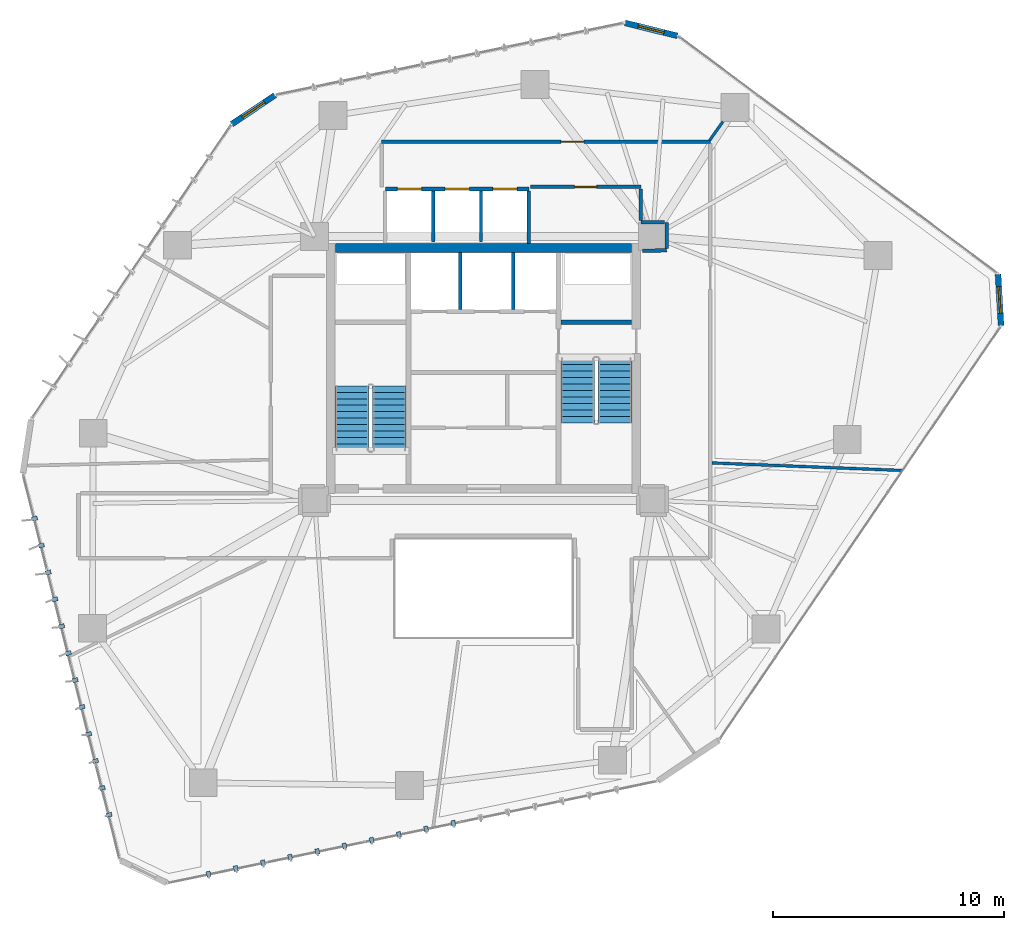
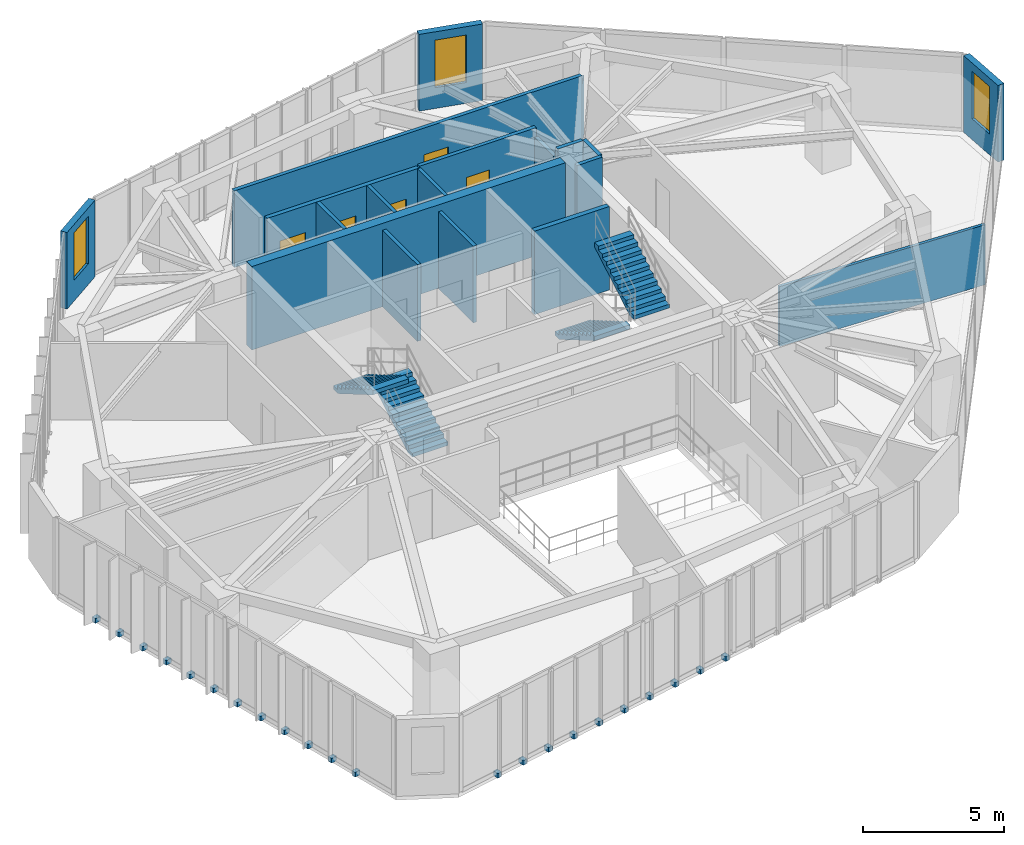
# One storey, part 18 of 22: 22 discrete accessories, 19 walls, 5 doors, 4 stair flights, 3 windows, 8 openings, 2 elements without a shape of their own.
"""IFC4 building model written with IfcOpenShell, lengths in metres."""

from ifc_helpers import new_model, si_unit, direction, frame, frame_2d, origin, origin_2d, place, context, subcontext, project, spatial, polyline, rectangle, outline, extrude, source, transform, mapped, material, layer, layer_set, type_object, type_shapes, element, fill, aggregate, save


model = new_model("IFC4")

# Units and contexts
model_context = context("Model", 3, precision=1e-05, world=origin(), true_north=direction((0.0, 1.0)))
body_context = subcontext(model_context, "Body", "Model", "MODEL_VIEW")
ifc_project = project(units=[si_unit("LENGTHUNIT", "METRE"), si_unit("AREAUNIT", "SQUARE_METRE"), si_unit("VOLUMEUNIT", "CUBIC_METRE"), si_unit("PLANEANGLEUNIT", "RADIAN"), si_unit("MASSUNIT", "GRAM", prefix="KILO")], contexts=[model_context])

# Site, building, storey
site_placement = place(None, origin())
site = spatial("IfcSite", under=ifc_project, at=site_placement, CompositionType="ELEMENT")
building_placement = place(site_placement, origin())
building = spatial("IfcBuilding", under=site, at=building_placement, Name="Talar Marvaseh", CompositionType="ELEMENT")
storey_placement = place(building_placement, frame((0.0, 0.0, 125.39990234375)))
storey = spatial("IfcBuildingStorey", under=building, at=storey_placement, Name="L32", CompositionType="ELEMENT", Elevation=125.39990234375)

# Wall, opening, window
ifc_material_1 = material(Name="Precast concrete C45/55", Category="concrete")
ifc_layer_1 = layer(ifc_material_1, 0.2548828125)
ifc_layer_set_1 = layer_set([ifc_layer_1], Name="Precast concrete C45/55")
wall_type_1 = type_object("IfcWallType", Name="Chamfered Hexagonal Corner Pier Wall Z2 255", PredefinedType="SOLIDWALL", material=ifc_layer_set_1)
wall_1_placement = place(storey_placement, frame((15.12353515625, 41.75732421875, 0.0), z_axis=(0.0, 0.0, 1.0), x_axis=(0.831464280743, 0.555578212179, 0.0)))
wall_1 = element("IfcWall", 1, at=wall_1_placement, inside=storey, type_object=wall_type_1, Name="L32 Chamfered Corner Limestone Pier 3", PredefinedType="SOLIDWALL", context=body_context, shape_type="SweptSolid", body=[
    extrude(rectangle(XDim=2.2451171875, YDim=0.2548828125, at=frame_2d((1.12255859375, 0.0))), origin(), (0.0, 0.0, 1.0), 3.31005859375),
])
opening_1_placement = place(wall_1_placement, frame((0.548095703125, 0.0, 0.89990234375)))
opening_1 = element("IfcOpeningElement", 2, at=opening_1_placement, cuts=wall_1, Name="Opening WN-CHM11", PredefinedType="OPENING", context=body_context, shape_type="SweptSolid", body=[
    extrude(rectangle(XDim=1.14990234375, YDim=2.050048828125, at=frame_2d((0.574951171875, 1.02490234375))), frame((0.0, 0.137451171875, 0.0), z_axis=(0.0, -1.0, 0.0), x_axis=(1.0, 0.0, 0.0)), (0.0, 0.0, 1.0), 0.27490234375),
])
ifc_material_2 = material(Name="Laminated Low-E Solar Glass", Category="glass")
window_type = type_object("IfcWindowType", Name="Zone 2 Chamfered Corner Slot Window 1150x2050", PartitioningType="SINGLE_PANEL", PredefinedType="WINDOW", material=ifc_material_2)
shared_shape_1 = source(origin(), body_context, "Body", "SweptSolid", [
    extrude(rectangle(XDim=1.14990234375, YDim=2.050048828125, at=frame_2d((0.574951171875, 1.02490234375))), frame((0.0, 0.030029296875, 0.0), z_axis=(0.0, -1.0, 0.0), x_axis=(1.0, 0.0, 0.0)), (0.0, 0.0, 1.0), 0.06005859375),
])
type_shapes(window_type, [shared_shape_1])
window_1_placement = place(opening_1_placement, origin())
window_1 = element("IfcWindow", 3, at=window_1_placement, inside=storey, type_object=window_type, Name="L32 Chamfered Corner Slot Window", OverallHeight=2.050048828125, OverallWidth=1.14990234375, PartitioningType="SINGLE_PANEL", PredefinedType="WINDOW", context=body_context, shape_type="MappedRepresentation", body=[
    mapped(shared_shape_1, transform((0.0, 0.0, 0.0), x_axis=(1.0, 0.0, 0.0), y_axis=(0.0, 1.0, 0.0), z_axis=(0.0, 0.0, 1.0), scale=1.0)),
])
fill(opening_1, window_1)

wall_2_placement = place(storey_placement, frame((32.109375, 46.129150390625, 0.0), z_axis=(0.0, 0.0, 1.0), x_axis=(0.970819762449, -0.239810318456, 0.0)))
wall_2 = element("IfcWall", 4, at=wall_2_placement, inside=storey, type_object=wall_type_1, Name="L32 Chamfered Corner Limestone Pier 4", PredefinedType="SOLIDWALL", context=body_context, shape_type="SweptSolid", body=[
    extrude(rectangle(XDim=2.340576171875, YDim=0.2548828125, at=frame_2d((1.17041015625, 0.0))), origin(), (0.0, 0.0, 1.0), 3.31005859375),
])
opening_2_placement = place(wall_2_placement, frame((0.594970703125, 0.0, 0.89990234375)))
opening_2 = element("IfcOpeningElement", 5, at=opening_2_placement, cuts=wall_2, Name="Opening WN-CHM11", PredefinedType="OPENING", context=body_context, shape_type="SweptSolid", body=[
    extrude(rectangle(XDim=1.14990234375, YDim=2.050048828125, at=frame_2d((0.574951171875, 1.02490234375))), frame((0.0, 0.137451171875, 0.0), z_axis=(0.0, -1.0, 0.0), x_axis=(1.0, 0.0, 0.0)), (0.0, 0.0, 1.0), 0.27490234375),
])
window_2_placement = place(opening_2_placement, origin())
window_2 = element("IfcWindow", 6, at=window_2_placement, inside=storey, type_object=window_type, Name="L32 Chamfered Corner Slot Window", OverallHeight=2.050048828125, OverallWidth=1.14990234375, PartitioningType="SINGLE_PANEL", PredefinedType="WINDOW", context=body_context, shape_type="MappedRepresentation", body=[
    mapped(shared_shape_1, transform((0.0, 0.0, 0.0), x_axis=(1.0, 0.0, 0.0), y_axis=(0.0, 1.0, 0.0), z_axis=(0.0, 0.0, 1.0), scale=1.0)),
])
fill(opening_2, window_2)

wall_3_placement = place(storey_placement, frame((48.2294921875, 35.263916015625, 0.0), z_axis=(0.0, 0.0, 1.0), x_axis=(0.058044074284, -0.998314021458, 0.0)))
wall_3 = element("IfcWall", 7, at=wall_3_placement, inside=storey, type_object=wall_type_1, Name="L32 Chamfered Corner Limestone Pier 5", PredefinedType="SOLIDWALL", context=body_context, shape_type="SweptSolid", body=[
    extrude(rectangle(XDim=2.216552734375, YDim=0.2548828125, at=frame_2d((1.1083984375, 0.0))), origin(), (0.0, 0.0, 1.0), 3.31005859375),
])
opening_3_placement = place(wall_3_placement, frame((0.532958984375, 0.0, 0.89990234375)))
opening_3 = element("IfcOpeningElement", 8, at=opening_3_placement, cuts=wall_3, Name="Opening WN-CHM11", PredefinedType="OPENING", context=body_context, shape_type="SweptSolid", body=[
    extrude(rectangle(XDim=1.14990234375, YDim=2.050048828125, at=frame_2d((0.574951171875, 1.02490234375))), frame((0.0, 0.137451171875, 0.0), z_axis=(0.0, -1.0, 0.0), x_axis=(1.0, 0.0, 0.0)), (0.0, 0.0, 1.0), 0.27490234375),
])
window_3_placement = place(opening_3_placement, origin())
window_3 = element("IfcWindow", 9, at=window_3_placement, inside=storey, type_object=window_type, Name="L32 Chamfered Corner Slot Window", OverallHeight=2.050048828125, OverallWidth=1.14990234375, PartitioningType="SINGLE_PANEL", PredefinedType="WINDOW", context=body_context, shape_type="MappedRepresentation", body=[
    mapped(shared_shape_1, transform((0.0, 0.0, 0.0), x_axis=(1.0, 0.0, 0.0), y_axis=(0.0, 1.0, 0.0), z_axis=(0.0, 0.0, 1.0), scale=1.0)),
])
fill(opening_3, window_3)

# Wall, opening, door
ifc_material_3 = material(Name="Gypsum Board Partition Assembly")
ifc_layer_2 = layer(ifc_material_3, 0.155029296875)
ifc_layer_set_2 = layer_set([ifc_layer_2], Name="Gypsum Board Partition Assembly")
wall_type_2 = type_object("IfcWallType", Name="Corridor Fire-Rated Acoustic Partition 155", PredefinedType="PARTITIONING", material=ifc_layer_set_2)
wall_4_placement = place(storey_placement, frame((32.800048828125, 39.0400390625, 0.0), z_axis=(0.0, 0.0, 1.0), x_axis=(-1.0, 0.0, 0.0)))
wall_4 = element("IfcWall", 10, at=wall_4_placement, inside=storey, type_object=wall_type_2, Name="L32 Interior Partition Wall", PredefinedType="PARTITIONING", context=body_context, shape_type="SweptSolid", body=[
    extrude(rectangle(XDim=4.77001953125, YDim=0.155029296875, at=frame_2d((2.385009765625, 0.0))), origin(), (0.0, 0.0, 1.0), 3.31005859375),
])
opening_4_placement = place(wall_4_placement, frame((1.909912109375, 0.0, 0.0)))
opening_4 = element("IfcOpeningElement", 11, at=opening_4_placement, cuts=wall_4, Name="Opening DR-WC095", PredefinedType="OPENING", context=body_context, shape_type="SweptSolid", body=[
    extrude(rectangle(XDim=0.949951171875, YDim=2.14990234375, at=frame_2d((0.47509765625, 1.074951171875))), frame((0.0, 0.08740234375, 0.0), z_axis=(0.0, -1.0, 0.0), x_axis=(1.0, 0.0, 0.0)), (0.0, 0.0, 1.0), 0.175048828125),
])
ifc_material_4 = material(Name="Acoustic Engineered Oak Timber", Category="wood")
door_type_1 = type_object("IfcDoorType", Name="Washroom and Service Room Door 950x2150", OperationType="NOTDEFINED", PredefinedType="DOOR", material=ifc_material_4)
shared_shape_2 = source(origin(), body_context, "Body", "SweptSolid", [
    extrude(rectangle(XDim=0.949951171875, YDim=2.14990234375, at=frame_2d((0.47509765625, 1.074951171875))), frame((0.0, 0.02490234375, 0.0), z_axis=(0.0, -1.0, 0.0), x_axis=(1.0, 0.0, 0.0)), (0.0, 0.0, 1.0), 0.050048828125),
])
type_shapes(door_type_1, [shared_shape_2])
door_1_placement = place(opening_4_placement, origin())
door_1 = element("IfcDoor", 12, at=door_1_placement, inside=storey, type_object=door_type_1, Name="L32 WC Public Washrooms Door", OperationType="SINGLE_SWING_RIGHT", OverallHeight=2.14990234375, OverallWidth=0.949951171875, PredefinedType="DOOR", context=body_context, shape_type="MappedRepresentation", body=[
    mapped(shared_shape_2, transform((0.0, 0.0, 0.0), x_axis=(1.0, 0.0, 0.0), y_axis=(0.0, 1.0, 0.0), z_axis=(0.0, 0.0, 1.0), scale=1.0)),
])
fill(opening_4, door_1)

wall_5_placement = place(storey_placement, frame((21.60009765625, 41.0, 0.0), z_axis=(0.0, 0.0, 1.0), x_axis=(1.0, 0.0, 0.0)))
wall_5 = element("IfcWall", 13, at=wall_5_placement, inside=storey, type_object=wall_type_2, Name="L32 Interior Partition Wall", PredefinedType="PARTITIONING", context=body_context, shape_type="SweptSolid", body=[
    extrude(rectangle(XDim=14.199951171875, YDim=0.155029296875, at=frame_2d((7.10009765625, 0.0))), origin(), (0.0, 0.0, 1.0), 3.31005859375),
])
opening_5_placement = place(wall_5_placement, frame((7.736083984375, 0.0, 0.0)))
opening_5 = element("IfcOpeningElement", 14, at=opening_5_placement, cuts=wall_5, Name="Opening DR-RM100", PredefinedType="OPENING", context=body_context, shape_type="SweptSolid", body=[
    extrude(rectangle(XDim=1.0, YDim=2.14990234375, at=frame_2d((0.5, 1.074951171875))), frame((0.0, 0.08740234375, 0.0), z_axis=(0.0, -1.0, 0.0), x_axis=(1.0, 0.0, 0.0)), (0.0, 0.0, 1.0), 0.175048828125),
])
door_type_2 = type_object("IfcDoorType", Name="Corridor Fire-Rated Gallery Door 1000x2150", OperationType="NOTDEFINED", PredefinedType="DOOR", material=ifc_material_4)
shared_shape_3 = source(origin(), body_context, "Body", "SweptSolid", [
    extrude(rectangle(XDim=1.0, YDim=2.14990234375, at=frame_2d((0.5, 1.074951171875))), frame((0.0, 0.02490234375, 0.0), z_axis=(0.0, -1.0, 0.0), x_axis=(1.0, 0.0, 0.0)), (0.0, 0.0, 1.0), 0.050048828125),
])
type_shapes(door_type_2, [shared_shape_3])
door_2_placement = place(opening_5_placement, origin())
door_2 = element("IfcDoor", 15, at=door_2_placement, inside=storey, type_object=door_type_2, Name="L32 Cultural Fellowship Office Door", OperationType="SINGLE_SWING_LEFT", OverallHeight=2.14990234375, OverallWidth=1.0, PredefinedType="DOOR", context=body_context, shape_type="MappedRepresentation", body=[
    mapped(shared_shape_3, transform((0.0, 0.0, 0.0), x_axis=(1.0, 0.0, 0.0), y_axis=(0.0, 1.0, 0.0), z_axis=(0.0, 0.0, 1.0), scale=1.0)),
])
fill(opening_5, door_2)

# Walls
wall_6_placement = place(storey_placement, frame((32.8701171875, 36.284912109375, 0.0), z_axis=(0.0, 0.0, 1.0), x_axis=(0.999895094683, 0.014484461652, 0.0)))
element("IfcWall", 16, at=wall_6_placement, inside=storey, type_object=wall_type_2, Name="L32 Interior Partition Wall", PredefinedType="PARTITIONING", context=body_context, shape_type="SweptSolid", body=[
    extrude(rectangle(XDim=1.044921875, YDim=0.155029296875, at=frame_2d((0.5224609375, 0.0))), origin(), (0.0, 0.0, 1.0), 3.31005859375),
])
wall_7_placement = place(storey_placement, frame((33.914794921875, 36.383544921875, 0.0), z_axis=(0.0, 0.0, 1.0), x_axis=(-0.003682817312, 0.999993218405, 0.0)))
element("IfcWall", 17, at=wall_7_placement, inside=storey, type_object=wall_type_2, Name="L32 Interior Partition Wall", PredefinedType="PARTITIONING", context=body_context, shape_type="SweptSolid", body=[
    extrude(rectangle(XDim=1.126953125, YDim=0.155029296875, at=frame_2d((0.5634765625, 0.0))), origin(), (0.0, 0.0, 1.0), 3.31005859375),
])
wall_8_placement = place(storey_placement, frame((33.8271484375, 37.510986328125, 0.0), z_axis=(0.0, 0.0, 1.0), x_axis=(-0.99999276797, 0.003803157663, 0.0)))
element("IfcWall", 18, at=wall_8_placement, inside=storey, type_object=wall_type_2, Name="L32 Interior Partition Wall", PredefinedType="PARTITIONING", context=body_context, shape_type="SweptSolid", body=[
    extrude(rectangle(XDim=1.027099609375, YDim=0.155029296875, at=frame_2d((0.513671875, 0.0))), origin(), (0.0, 0.0, 1.0), 3.31005859375),
])
wall_9_placement = place(storey_placement, frame((32.800048828125, 37.598388671875, 0.0), z_axis=(0.0, 0.0, 1.0), x_axis=(0.0, 1.0, 0.0)))
element("IfcWall", 19, at=wall_9_placement, inside=storey, type_object=wall_type_2, Name="L32 Interior Partition Wall", PredefinedType="PARTITIONING", context=body_context, shape_type="SweptSolid", body=[
    extrude(rectangle(XDim=1.358154296875, YDim=0.155029296875, at=frame_2d((0.67919921875, 0.0))), origin(), (0.0, 0.0, 1.0), 2.927001953125),
])
ifc_layer_3 = layer(ifc_material_3, 0.1201171875)
ifc_layer_set_3 = layer_set([ifc_layer_3], Name="Gypsum Board Partition Assembly")
wall_type_3 = type_object("IfcWallType", Name="Demountable Studio Room Partition 120", PredefinedType="PARTITIONING", material=ifc_layer_set_3)
wall_10_placement = place(storey_placement, frame((35.864990234375, 27.117431640625, 0.0), z_axis=(0.0, 0.0, 1.0), x_axis=(0.999217091131, -0.039562669156, 0.0)))
element("IfcWall", 20, at=wall_10_placement, inside=storey, type_object=wall_type_3, Name="L32 Interior Partition Wall", PredefinedType="PARTITIONING", context=body_context, shape_type="SweptSolid", body=[
    extrude(rectangle(XDim=8.225830078125, YDim=0.1201171875, at=frame_2d((4.11279296875, 0.0))), origin(), (0.0, 0.0, 1.0), 2.590087890625),
])
wall_11_placement = place(storey_placement, frame((35.767578125, 41.052978515625, 0.0), z_axis=(0.0, 0.0, 1.0), x_axis=(0.578551152371, 0.815646102234, 0.0)))
element("IfcWall", 21, at=wall_11_placement, inside=storey, type_object=wall_type_3, Name="L32 Interior Partition Wall", PredefinedType="PARTITIONING", context=body_context, shape_type="SweptSolid", body=[
    extrude(rectangle(XDim=0.989501953125, YDim=0.1201171875, at=frame_2d((0.49462890625, 0.0))), origin(), (0.0, 0.0, 1.0), 2.590087890625),
])
ifc_layer_4 = layer(ifc_material_1, 0.14501953125)
ifc_layer_set_4 = layer_set([ifc_layer_4], Name="Precast concrete C45/55")
wall_type_4 = type_object("IfcWallType", Name="Fire-Rated Lift Divider Wall 145", PredefinedType="SOLIDWALL", material=ifc_layer_set_4)
for number, where, z_axis, x_axis, name in (
    (22, (25.0, 33.743408203125, 0.0), (0.0, 0.0, 1.0), (0.0, 1.0, 0.0), "L32 FFL-1/FFL-2 Divider"),
    (23, (27.280029296875, 33.743408203125, 0.0), (0.0, 0.0, 1.0), (0.0, 1.0, 0.0), "L32 FFL-2/SVL-1 Divider"),
):
    element("IfcWall", number, at=place(storey_placement, frame(where, z_axis=z_axis, x_axis=x_axis)), inside=storey, type_object=wall_type_4, Name=name, PredefinedType="SOLIDWALL", context=body_context, shape_type="SweptSolid", body=[
        extrude(rectangle(XDim=2.45654296875, YDim=0.14501953125, at=frame_2d((1.228271484375, 0.0))), origin(), (0.0, 0.0, 1.0), 3.31005859375),
    ])
wall_12_placement = place(storey_placement, frame((27.9599609375, 36.60009765625, 0.0), z_axis=(0.0, 0.0, 1.0), x_axis=(0.0, 1.0, 0.0)))
element("IfcWall", 24, at=wall_12_placement, inside=storey, type_object=wall_type_4, Name="L32 Low-Rise Bank East Wall", PredefinedType="SOLIDWALL", context=body_context, shape_type="SweptSolid", body=[
    extrude(rectangle(XDim=2.266357421875, YDim=0.14501953125, at=frame_2d((1.13330078125, 0.0))), origin(), (0.0, 0.0, 1.0), 3.31005859375),
])
for number, where, z_axis, x_axis, name in (
    (25, (23.830078125, 36.659912109375, 0.0), (0.0, 0.0, 1.0), (0.0, 1.0, 0.0), "L32 PL-L1/PL-L2 Divider"),
    (26, (25.889892578125, 36.659912109375, 0.0), (0.0, 0.0, 1.0), (0.0, 1.0, 0.0), "L32 PL-L2/PL-L3 Divider"),
):
    element("IfcWall", number, at=place(storey_placement, frame(where, z_axis=z_axis, x_axis=x_axis)), inside=storey, type_object=wall_type_4, Name=name, PredefinedType="SOLIDWALL", context=body_context, shape_type="SweptSolid", body=[
        extrude(rectangle(XDim=2.20654296875, YDim=0.14501953125, at=frame_2d((1.103271484375, 0.0))), origin(), (0.0, 0.0, 1.0), 3.31005859375),
    ])

# Wall, openings, doors
ifc_layer_5 = layer(ifc_material_1, 0.175048828125)
ifc_layer_set_5 = layer_set([ifc_layer_5], Name="Precast concrete C45/55")
wall_type_5 = type_object("IfcWallType", Name="Fire-Rated Lift Hoistway Enclosure Wall 175", PredefinedType="SOLIDWALL", material=ifc_layer_set_5)
wall_13_placement = place(storey_placement, frame((21.760009765625, 38.9599609375, 0.0), z_axis=(0.0, 0.0, 1.0), x_axis=(1.0, 0.0, 0.0)))
wall_13 = element("IfcWall", 27, at=wall_13_placement, inside=storey, type_object=wall_type_5, Name="L32 Low-Rise Lift Bank Front Wall", PredefinedType="SOLIDWALL", context=body_context, shape_type="SweptSolid", body=[
    extrude(rectangle(XDim=6.199951171875, YDim=0.175048828125, at=frame_2d((3.10009765625, 0.0))), origin(), (0.0, 0.0, 1.0), 3.31005859375),
])
opening_6_placement = place(wall_13_placement, frame((0.52001953125, 0.0, 0.0)))
opening_6 = element("IfcOpeningElement", 28, at=opening_6_placement, cuts=wall_13, Name="Opening LD-PLL1", PredefinedType="OPENING", context=body_context, shape_type="SweptSolid", body=[
    extrude(rectangle(XDim=1.050048828125, YDim=2.14990234375, at=frame_2d((0.52490234375, 1.074951171875))), frame((0.0, 0.09765625, 0.0), z_axis=(0.0, -1.0, 0.0), x_axis=(1.0, 0.0, 0.0)), (0.0, 0.0, 1.0), 0.195068359375),
])
opening_7_placement = place(wall_13_placement, frame((2.580078125, 0.0, 0.0)))
opening_7 = element("IfcOpeningElement", 29, at=opening_7_placement, cuts=wall_13, Name="Opening LD-PLL2", PredefinedType="OPENING", context=body_context, shape_type="SweptSolid", body=[
    extrude(rectangle(XDim=1.050048828125, YDim=2.14990234375, at=frame_2d((0.52490234375, 1.074951171875))), frame((0.0, 0.09765625, 0.0), z_axis=(0.0, -1.0, 0.0), x_axis=(1.0, 0.0, 0.0)), (0.0, 0.0, 1.0), 0.195068359375),
])
opening_8_placement = place(wall_13_placement, frame((4.639892578125, 0.0, 0.0)))
opening_8 = element("IfcOpeningElement", 30, at=opening_8_placement, cuts=wall_13, Name="Opening LD-PLL3", PredefinedType="OPENING", context=body_context, shape_type="SweptSolid", body=[
    extrude(rectangle(XDim=1.050048828125, YDim=2.14990234375, at=frame_2d((0.52490234375, 1.074951171875))), frame((0.0, 0.09765625, 0.0), z_axis=(0.0, -1.0, 0.0), x_axis=(1.0, 0.0, 0.0)), (0.0, 0.0, 1.0), 0.195068359375),
])
ifc_material_5 = material(Name="Stainless Steel Grade 316", Category="steel")
door_type_3 = type_object("IfcDoorType", Name="Automatic Sliding Lift Landing Door 1050x2150", OperationType="NOTDEFINED", PredefinedType="DOOR", material=ifc_material_5)
shared_shape_4 = source(origin(), body_context, "Body", "SweptSolid", [
    extrude(rectangle(XDim=1.050048828125, YDim=2.14990234375, at=frame_2d((0.52490234375, 1.074951171875))), frame((0.0, 0.02490234375, 0.0), z_axis=(0.0, -1.0, 0.0), x_axis=(1.0, 0.0, 0.0)), (0.0, 0.0, 1.0), 0.050048828125),
])
type_shapes(door_type_3, [shared_shape_4])
door_3_placement = place(opening_6_placement, origin())
door_3 = element("IfcDoor", 31, at=door_3_placement, inside=storey, type_object=door_type_3, Name="L32 Lift PL-L1 Sliding Landing Door", OperationType="SLIDING_TO_LEFT", OverallHeight=2.14990234375, OverallWidth=1.050048828125, PredefinedType="DOOR", context=body_context, shape_type="MappedRepresentation", body=[
    mapped(shared_shape_4, transform((0.0, 0.0, 0.0), x_axis=(1.0, 0.0, 0.0), y_axis=(0.0, 1.0, 0.0), z_axis=(0.0, 0.0, 1.0), scale=1.0)),
])
fill(opening_6, door_3)
door_4_placement = place(opening_7_placement, origin())
door_4 = element("IfcDoor", 32, at=door_4_placement, inside=storey, type_object=door_type_3, Name="L32 Lift PL-L2 Sliding Landing Door", OperationType="SLIDING_TO_LEFT", OverallHeight=2.14990234375, OverallWidth=1.050048828125, PredefinedType="DOOR", context=body_context, shape_type="MappedRepresentation", body=[
    mapped(shared_shape_4, transform((0.0, 0.0, 0.0), x_axis=(1.0, 0.0, 0.0), y_axis=(0.0, 1.0, 0.0), z_axis=(0.0, 0.0, 1.0), scale=1.0)),
])
fill(opening_7, door_4)
door_5_placement = place(opening_8_placement, origin())
door_5 = element("IfcDoor", 33, at=door_5_placement, inside=storey, type_object=door_type_3, Name="L32 Lift PL-L3 Sliding Landing Door", OperationType="SLIDING_TO_LEFT", OverallHeight=2.14990234375, OverallWidth=1.050048828125, PredefinedType="DOOR", context=body_context, shape_type="MappedRepresentation", body=[
    mapped(shared_shape_4, transform((0.0, 0.0, 0.0), x_axis=(1.0, 0.0, 0.0), y_axis=(0.0, 1.0, 0.0), z_axis=(0.0, 0.0, 1.0), scale=1.0)),
])
fill(opening_8, door_5)

# Walls
ifc_material_6 = material(Name="Concrete C60/75", Category="concrete")
ifc_layer_6 = layer(ifc_material_6, 0.3798828125)
ifc_layer_set_6 = layer_set([ifc_layer_6], Name="Concrete C60/75")
wall_type_6 = type_object("IfcWallType", Name="Mid Core Reinforced Concrete Shear Wall 380", PredefinedType="SHEAR", material=ifc_layer_set_6)
wall_14_placement = place(storey_placement, frame((19.60009765625, 36.39990234375, 0.0), z_axis=(0.0, 0.0, 1.0), x_axis=(1.0, 0.0, 0.0)))
element("IfcWall", 34, at=wall_14_placement, inside=storey, type_object=wall_type_6, Name="L32 North Core Shear Wall", PredefinedType="SHEAR", context=body_context, shape_type="SweptSolid", body=[
    extrude(rectangle(XDim=12.7998046875, YDim=0.3798828125, at=frame_2d((6.39990234375, 0.0))), origin(), (0.0, 0.0, 1.0), 3.60009765625),
])
ifc_material_7 = material(Name="Concrete C50/60", Category="concrete")
ifc_layer_7 = layer(ifc_material_7, 0.199951171875)
ifc_layer_set_7 = layer_set([ifc_layer_7], Name="Concrete C50/60")
wall_type_7 = type_object("IfcWallType", Name="Stair Shaft Structural Concrete Shear Wall 200", PredefinedType="SHEAR", material=ifc_layer_set_7)
wall_15_placement = place(storey_placement, frame((29.340087890625, 33.199951171875, 0.0), z_axis=(0.0, 0.0, 1.0), x_axis=(1.0, 0.0, 0.0)))
element("IfcWall", 35, at=wall_15_placement, inside=storey, type_object=wall_type_7, Name="L32 Stair ST-2 North Shear Wall", PredefinedType="SHEAR", context=body_context, shape_type="SweptSolid", body=[
    extrude(rectangle(XDim=3.059814453125, YDim=0.199951171875, at=frame_2d((1.52978515625, 0.0))), origin(), (0.0, 0.0, 1.0), 3.60009765625),
])

# Stair, stair flights
ifc_material_8 = material(Name="Concrete C40/50", Category="concrete")
stair_type = type_object("IfcStairType", Name="Reinforced Concrete Half-Turn Exit Stair Type B", PredefinedType="HALF_TURN_STAIR", material=ifc_material_8)
stair_1_placement = place(storey_placement, origin())
stair_1 = element("IfcStair", 36, at=stair_1_placement, inside=storey, type_object=stair_type, Name="L32 Tower West Core Exit Stair", PredefinedType="HALF_TURN_STAIR")
ifc_layer_8 = layer(ifc_material_8, 0.159912109375)
ifc_layer_set_8 = layer_set([ifc_layer_8], Name="Concrete C40/50")
stair_flight_type = type_object("IfcStairFlightType", Name="Reinforced Concrete Straight Stair Flight 160", PredefinedType="STRAIGHT", material=ifc_layer_set_8)
stair_flight_1_placement = place(storey_placement, frame((21.93505859375, 27.64990234375, 0.0), z_axis=(0.0, 0.0, 1.0), x_axis=(0.0, 1.0, 0.0)))
stair_flight_1 = element("IfcStairFlight", 37, at=stair_flight_1_placement, type_object=stair_flight_type, Name="ST-1 flight 1", NumberOfRisers=11, NumberOfTreads=10, PredefinedType="STRAIGHT", RiserHeight=0.163636364, TreadLength=0.28, context=body_context, shape_type="SweptSolid", body=[
    extrude(outline(polyline([(0.0, 0.0), (0.0, 0.16357421875), (0.280029296875, 0.16357421875), (0.280029296875, 0.327392578125), (0.56005859375, 0.327392578125), (0.56005859375, 0.490966796875), (0.840087890625, 0.490966796875), (0.840087890625, 0.654541015625), (1.1201171875, 0.654541015625), (1.1201171875, 0.818115234375), (1.39990234375, 0.818115234375), (1.39990234375, 0.98193359375), (1.679931640625, 0.98193359375), (1.679931640625, 1.1455078125), (1.9599609375, 1.1455078125), (1.9599609375, 1.30908203125), (2.239990234375, 1.30908203125), (2.239990234375, 1.47265625), (2.52001953125, 1.47265625), (2.52001953125, 1.636474609375), (2.800048828125, 1.636474609375), (2.800048828125, 1.800048828125), (2.800048828125, 1.451171875), (0.31689453125, 0.0), (0.0, 0.0)])), frame((0.0, 0.72509765625, 0.0), z_axis=(0.0, -1.0, 0.0), x_axis=(1.0, 0.0, 0.0)), (0.0, 0.0, 1.0), 1.449951171875),
])
stair_flight_2_placement = place(storey_placement, frame((20.324951171875, 30.449951171875, 1.800048828125), z_axis=(0.0, 0.0, 1.0), x_axis=(0.0, -1.0, 0.0)))
stair_flight_2 = element("IfcStairFlight", 38, at=stair_flight_2_placement, type_object=stair_flight_type, Name="ST-1 flight 2", NumberOfRisers=11, NumberOfTreads=10, PredefinedType="STRAIGHT", RiserHeight=0.163636364, TreadLength=0.28, context=body_context, shape_type="SweptSolid", body=[
    extrude(outline(polyline([(0.0, 0.0), (0.0, 0.16357421875), (0.280029296875, 0.16357421875), (0.280029296875, 0.327392578125), (0.56005859375, 0.327392578125), (0.56005859375, 0.490966796875), (0.840087890625, 0.490966796875), (0.840087890625, 0.654541015625), (1.1201171875, 0.654541015625), (1.1201171875, 0.818115234375), (1.39990234375, 0.818115234375), (1.39990234375, 0.98193359375), (1.679931640625, 0.98193359375), (1.679931640625, 1.1455078125), (1.9599609375, 1.1455078125), (1.9599609375, 1.30908203125), (2.239990234375, 1.30908203125), (2.239990234375, 1.47265625), (2.52001953125, 1.47265625), (2.52001953125, 1.636474609375), (2.800048828125, 1.636474609375), (2.800048828125, 1.800048828125), (2.800048828125, 1.451171875), (0.31689453125, 0.0), (0.0, 0.0)])), frame((0.0, 0.72509765625, 0.0), z_axis=(0.0, -1.0, 0.0), x_axis=(1.0, 0.0, 0.0)), (0.0, 0.0, 1.0), 1.449951171875),
])
aggregate(stair_1, [stair_flight_1, stair_flight_2])

stair_2_placement = place(storey_placement, origin())
stair_2 = element("IfcStair", 39, at=stair_2_placement, inside=storey, type_object=stair_type, Name="L32 Tower East Core Exit Stair", PredefinedType="HALF_TURN_STAIR")
stair_flight_3_placement = place(storey_placement, frame((30.06494140625, 31.64990234375, 0.0), z_axis=(0.0, 0.0, 1.0), x_axis=(0.0, -1.0, 0.0)))
stair_flight_3 = element("IfcStairFlight", 40, at=stair_flight_3_placement, type_object=stair_flight_type, Name="ST-2 flight 1", NumberOfRisers=11, NumberOfTreads=10, PredefinedType="STRAIGHT", RiserHeight=0.163636364, TreadLength=0.28, context=body_context, shape_type="SweptSolid", body=[
    extrude(outline(polyline([(0.0, 0.0), (0.0, 0.16357421875), (0.280029296875, 0.16357421875), (0.280029296875, 0.327392578125), (0.56005859375, 0.327392578125), (0.56005859375, 0.490966796875), (0.840087890625, 0.490966796875), (0.840087890625, 0.654541015625), (1.1201171875, 0.654541015625), (1.1201171875, 0.818115234375), (1.39990234375, 0.818115234375), (1.39990234375, 0.98193359375), (1.679931640625, 0.98193359375), (1.679931640625, 1.1455078125), (1.9599609375, 1.1455078125), (1.9599609375, 1.30908203125), (2.239990234375, 1.30908203125), (2.239990234375, 1.47265625), (2.52001953125, 1.47265625), (2.52001953125, 1.636474609375), (2.800048828125, 1.636474609375), (2.800048828125, 1.800048828125), (2.800048828125, 1.451171875), (0.31689453125, 0.0), (0.0, 0.0)])), frame((0.0, 0.72509765625, 0.0), z_axis=(0.0, -1.0, 0.0), x_axis=(1.0, 0.0, 0.0)), (0.0, 0.0, 1.0), 1.449951171875),
])
stair_flight_4_placement = place(storey_placement, frame((31.675048828125, 28.85009765625, 1.800048828125), z_axis=(0.0, 0.0, 1.0), x_axis=(0.0, 1.0, 0.0)))
stair_flight_4 = element("IfcStairFlight", 41, at=stair_flight_4_placement, type_object=stair_flight_type, Name="ST-2 flight 2", NumberOfRisers=11, NumberOfTreads=10, PredefinedType="STRAIGHT", RiserHeight=0.163636364, TreadLength=0.28, context=body_context, shape_type="SweptSolid", body=[
    extrude(outline(polyline([(0.0, 0.0), (0.0, 0.16357421875), (0.280029296875, 0.16357421875), (0.280029296875, 0.327392578125), (0.56005859375, 0.327392578125), (0.56005859375, 0.490966796875), (0.840087890625, 0.490966796875), (0.840087890625, 0.654541015625), (1.1201171875, 0.654541015625), (1.1201171875, 0.818115234375), (1.39990234375, 0.818115234375), (1.39990234375, 0.98193359375), (1.679931640625, 0.98193359375), (1.679931640625, 1.1455078125), (1.9599609375, 1.1455078125), (1.9599609375, 1.30908203125), (2.239990234375, 1.30908203125), (2.239990234375, 1.47265625), (2.52001953125, 1.47265625), (2.52001953125, 1.636474609375), (2.800048828125, 1.636474609375), (2.800048828125, 1.800048828125), (2.800048828125, 1.451171875), (0.31689453125, 0.0), (0.0, 0.0)])), frame((0.0, 0.72509765625, 0.0), z_axis=(0.0, -1.0, 0.0), x_axis=(1.0, 0.0, 0.0)), (0.0, 0.0, 1.0), 1.449951171875),
])
aggregate(stair_2, [stair_flight_3, stair_flight_4])

# Discrete accessories
discrete_accessory_type = type_object("IfcDiscreteAccessoryType", Name="Stainless Slab-Edge Fin Mounting Bracket", PredefinedType="BRACKET", material=ifc_material_5)
shared_shape_5 = source(origin(), body_context, "Body", "SweptSolid", [
    extrude(rectangle(XDim=0.239990234375, YDim=0.179931640625, at=origin_2d()), origin(), (0.0, 0.0, 1.0), 0.199951171875),
])
type_shapes(discrete_accessory_type, [shared_shape_5])
for number, where, z_axis, x_axis, name in (
    (42, (9.8212890625, 11.91357421875, -0.1796875), (0.0, 0.0, 1.0), (-0.969872015285, -0.243615011786, 0.0), "L32 Vertical Fin Slab-Edge Bracket"),
    (43, (9.529296875, 13.077392578125, -0.1796875), (0.0, 0.0, 1.0), (-0.969872015285, -0.243615011786, 0.0), "L32 Vertical Fin Slab-Edge Bracket"),
    (44, (9.23681640625, 14.241455078125, -0.1796875), (0.0, 0.0, 1.0), (-0.969872015285, -0.243615011786, 0.0), "L32 Vertical Fin Slab-Edge Bracket"),
    (45, (8.944580078125, 15.4052734375, -0.1796875), (0.0, 0.0, 1.0), (-0.969872015285, -0.243615011786, 0.0), "L32 Vertical Fin Slab-Edge Bracket"),
    (46, (8.65234375, 16.569091796875, -0.1796875), (0.0, 0.0, 1.0), (-0.969872015285, -0.243615011786, 0.0), "L32 Vertical Fin Slab-Edge Bracket"),
    (47, (8.360107421875, 17.73291015625, -0.1796875), (0.0, 0.0, 1.0), (-0.969872015285, -0.243615011786, 0.0), "L32 Vertical Fin Slab-Edge Bracket"),
    (48, (8.06787109375, 18.896728515625, -0.1796875), (0.0, 0.0, 1.0), (-0.969872015285, -0.243615011786, 0.0), "L32 Vertical Fin Slab-Edge Bracket"),
    (49, (7.775634765625, 20.060791015625, -0.1796875), (0.0, 0.0, 1.0), (-0.969872015285, -0.243615011786, 0.0), "L32 Vertical Fin Slab-Edge Bracket"),
    (50, (7.4833984375, 21.224609375, -0.1796875), (0.0, 0.0, 1.0), (-0.969872015285, -0.243615011786, 0.0), "L32 Vertical Fin Slab-Edge Bracket"),
    (51, (7.191162109375, 22.388427734375, -0.1796875), (0.0, 0.0, 1.0), (-0.969872015285, -0.243615011786, 0.0), "L32 Vertical Fin Slab-Edge Bracket"),
    (52, (6.898681640625, 23.55224609375, -0.1796875), (0.0, 0.0, 1.0), (-0.969872015285, -0.243615011786, 0.0), "L32 Vertical Fin Slab-Edge Bracket"),
    (53, (6.606689453125, 24.71630859375, -0.1796875), (0.0, 0.0, 1.0), (-0.969872015285, -0.243615011786, 0.0), "L32 Vertical Fin Slab-Edge Bracket"),
    (54, (24.69384765625, 11.552490234375, -0.1796875), (0.0, 0.0, 1.0), (0.203812623708, -0.979009915383, 0.0), "L32 Vertical Fin Slab-Edge Bracket"),
    (55, (23.51904296875, 11.30810546875, -0.1796875), (0.0, 0.0, 1.0), (0.203812623708, -0.979009915383, 0.0), "L32 Vertical Fin Slab-Edge Bracket"),
    (56, (22.34423828125, 11.0634765625, -0.1796875), (0.0, 0.0, 1.0), (0.203812623708, -0.979009915383, 0.0), "L32 Vertical Fin Slab-Edge Bracket"),
    (57, (21.16943359375, 10.81884765625, -0.1796875), (0.0, 0.0, 1.0), (0.203812623708, -0.979009915383, 0.0), "L32 Vertical Fin Slab-Edge Bracket"),
    (58, (19.99462890625, 10.57421875, -0.1796875), (0.0, 0.0, 1.0), (0.203812623708, -0.979009915383, 0.0), "L32 Vertical Fin Slab-Edge Bracket"),
    (59, (18.81982421875, 10.329833984375, -0.1796875), (0.0, 0.0, 1.0), (0.203812623708, -0.979009915383, 0.0), "L32 Vertical Fin Slab-Edge Bracket"),
    (60, (17.64501953125, 10.085205078125, -0.1796875), (0.0, 0.0, 1.0), (0.203812623708, -0.979009915383, 0.0), "L32 Vertical Fin Slab-Edge Bracket"),
    (61, (16.47021484375, 9.8408203125, -0.1796875), (0.0, 0.0, 1.0), (0.203812623708, -0.979009915383, 0.0), "L32 Vertical Fin Slab-Edge Bracket"),
    (62, (15.29541015625, 9.59619140625, -0.1796875), (0.0, 0.0, 1.0), (0.203812623708, -0.979009915383, 0.0), "L32 Vertical Fin Slab-Edge Bracket"),
    (63, (14.12060546875, 9.3515625, -0.1796875), (0.0, 0.0, 1.0), (0.203812623708, -0.979009915383, 0.0), "L32 Vertical Fin Slab-Edge Bracket"),
):
    element("IfcDiscreteAccessory", number, at=place(storey_placement, frame(where, z_axis=z_axis, x_axis=x_axis)), inside=storey, type_object=discrete_accessory_type, Name=name, PredefinedType="BRACKET", context=body_context, shape_type="MappedRepresentation", body=[
        mapped(shared_shape_5, transform((0.0, 0.0, 0.0), x_axis=(1.0, 0.0, 0.0), y_axis=(0.0, 1.0, 0.0), z_axis=(0.0, 0.0, 1.0), scale=1.0)),
    ])

save(model, "model.ifc")
